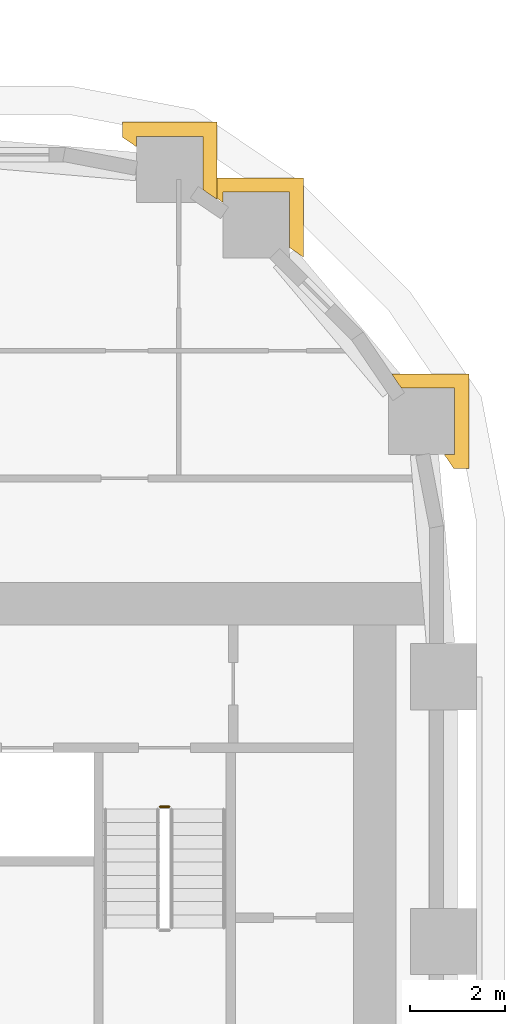
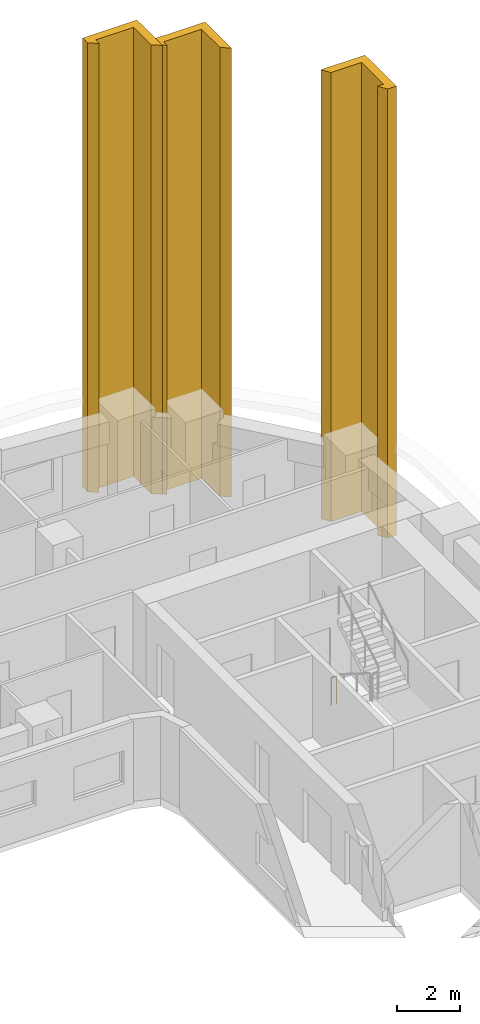
# One storey, part 22 of 22: 3 coverings, 1 railing.
"""IFC4 building model written with IfcOpenShell, lengths in metres."""

from ifc_helpers import new_model, si_unit, direction, frame, origin, origin_2d, place, context, subcontext, project, spatial, polyline, circle, outline, extrude, material, layer, layer_set, type_object, element, save


model = new_model("IFC4")

# Units and contexts
model_context = context("Model", 3, precision=1e-05, world=origin(), true_north=direction((0.0, 1.0)))
body_context = subcontext(model_context, "Body", "Model", "MODEL_VIEW")
ifc_project = project(units=[si_unit("LENGTHUNIT", "METRE"), si_unit("AREAUNIT", "SQUARE_METRE"), si_unit("VOLUMEUNIT", "CUBIC_METRE"), si_unit("PLANEANGLEUNIT", "RADIAN"), si_unit("MASSUNIT", "GRAM", prefix="KILO")], contexts=[model_context])

# Site, building, storey
site_placement = place(None, origin())
site = spatial("IfcSite", under=ifc_project, at=site_placement, CompositionType="ELEMENT")
building_placement = place(site_placement, origin())
building = spatial("IfcBuilding", under=site, at=building_placement, Name="Kiln Ring Residences", CompositionType="ELEMENT")
storey_placement = place(building_placement, frame((0.0, 0.0, 55.0)))
storey = spatial("IfcBuildingStorey", under=building, at=storey_placement, Name="L13", CompositionType="ELEMENT", Elevation=55.0)

# Railing
ifc_material_1 = material(Name="Stainless steel", Category="steel")
railing_type = type_object("IfcRailingType", Name="CORE-STAIR-GUARD", PredefinedType="GUARDRAIL", material=ifc_material_1)
railing_placement = place(storey_placement, frame((22.0, 8.449951171875, 0.0)))
element("IfcRailing", 1, at=railing_placement, inside=storey, type_object=railing_type, Name="L13 E-STN stair guard 4", PredefinedType="GUARDRAIL", context=body_context, shape_type="SweptSolid", body=[
    extrude(circle(Radius=0.02392578125, at=origin_2d()), frame((0.0, 0.0, 1.076171875), z_axis=(1.0, 0.0, 0.0), x_axis=(0.0, 1.0, 0.0)), (0.0, 0.0, 1.0), 0.199951171875),
    extrude(circle(Radius=0.02099609375, at=origin_2d()), origin(), (0.0, 0.0, 1.0), 1.052001953125),
    extrude(circle(Radius=0.02099609375, at=origin_2d()), frame((0.199951171875, 0.0, 0.0)), (0.0, 0.0, 1.0), 1.052001953125),
])

# Coverings
ifc_material_2 = material(Name="Brick masonry, dark clay brick", Category="masonry")
ifc_layer = layer(ifc_material_2, 0.300048828125)
ifc_layer_set = layer_set([ifc_layer], Name="PIER CLADDING 300")
covering_type = type_object("IfcCoveringType", Name="PIER CLADDING 300", PredefinedType="CLADDING", material=ifc_layer_set)
placement = place(storey_placement, origin())
element("IfcCovering", 2, at=placement, inside=storey, type_object=covering_type, Name="PIER CLADDING L13-L17", PredefinedType="CLADDING", context=body_context, shape_type="SweptSolid", body=[
    extrude(outline(polyline([(28.5380859375, 15.608642578125), (28.5380859375, 17.608642578125), (26.906494140625, 17.608642578125), (27.110595703125, 17.30859375), (28.238037109375, 17.30859375), (28.238037109375, 15.90869140625), (28.013916015625, 15.90869140625), (28.2177734375, 15.608642578125), (28.5380859375, 15.608642578125)])), origin(), (0.0, 0.0, 1.0), 17.5),
])
element("IfcCovering", 3, at=placement, inside=storey, type_object=covering_type, Name="PIER CLADDING L13-L17", PredefinedType="CLADDING", context=body_context, shape_type="SweptSolid", body=[
    extrude(outline(polyline([(25.040283203125, 21.759765625), (23.040283203125, 21.759765625), (23.040283203125, 21.439453125), (23.340087890625, 21.235595703125), (23.340087890625, 21.459716796875), (24.740234375, 21.459716796875), (24.740234375, 20.2841796875), (25.040283203125, 20.080078125), (25.040283203125, 21.759765625)])), origin(), (0.0, 0.0, 1.0), 17.5),
])
element("IfcCovering", 4, at=placement, inside=storey, type_object=covering_type, Name="PIER CLADDING L13-L17", PredefinedType="CLADDING", context=body_context, shape_type="SweptSolid", body=[
    extrude(outline(polyline([(23.208740234375, 22.93798828125), (21.208740234375, 22.93798828125), (21.208740234375, 22.61767578125), (21.5087890625, 22.413818359375), (21.5087890625, 22.63818359375), (22.90869140625, 22.63818359375), (22.90869140625, 21.510498046875), (23.208740234375, 21.306640625), (23.208740234375, 22.93798828125)])), origin(), (0.0, 0.0, 1.0), 17.5),
])

save(model, "model.ifc")
